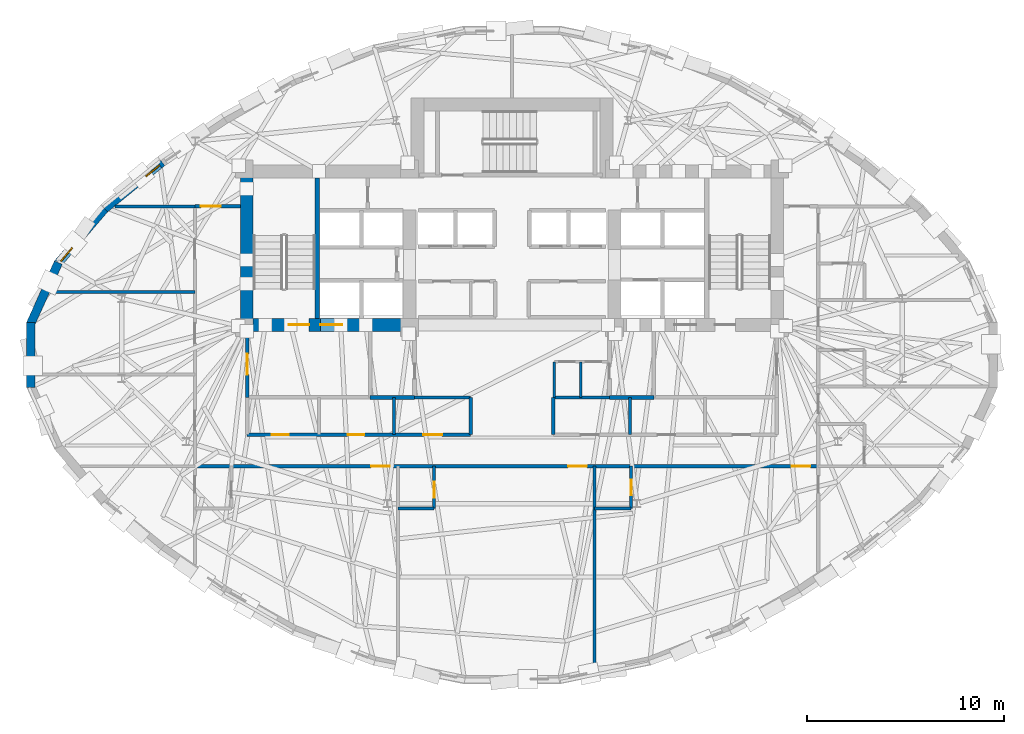
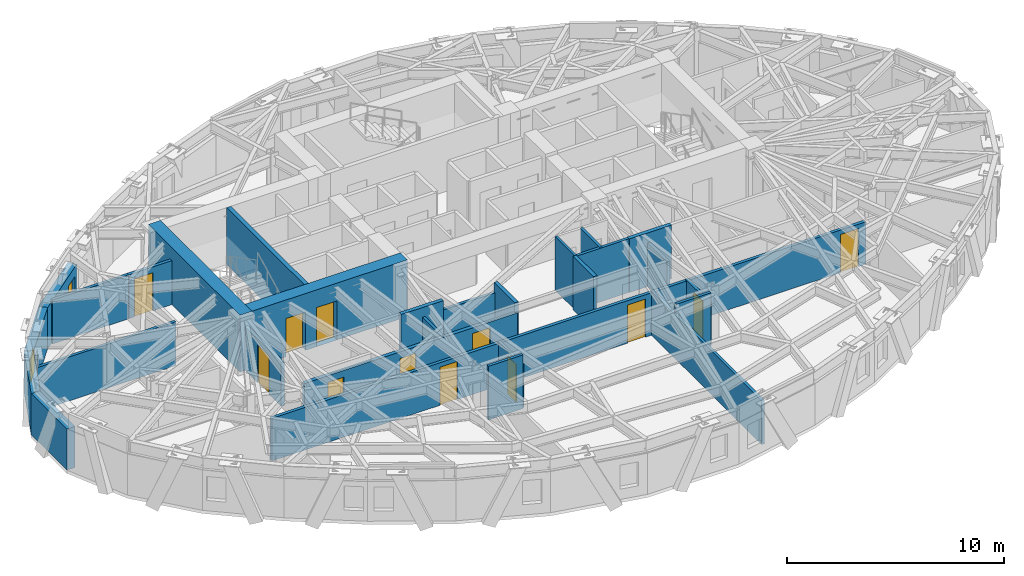
# One storey, part 6 of 14: 28 walls, 12 doors, 2 windows, 14 openings.
"""IFC4 building model written with IfcOpenShell, lengths in metres."""

from ifc_helpers import new_model, si_unit, direction, frame, frame_2d, origin, place, context, subcontext, project, spatial, rectangle, extrude, material, layer, layer_set, type_object, element, fill, save


model = new_model("IFC4")

# Units and contexts
model_context = context("Model", 3, precision=1e-05, world=origin(), true_north=direction((0.0, 1.0)))
body_context = subcontext(model_context, "Body", "Model", "MODEL_VIEW")
ifc_project = project(units=[si_unit("LENGTHUNIT", "METRE"), si_unit("AREAUNIT", "SQUARE_METRE"), si_unit("VOLUMEUNIT", "CUBIC_METRE"), si_unit("PLANEANGLEUNIT", "RADIAN"), si_unit("MASSUNIT", "GRAM", prefix="KILO")], contexts=[model_context])

# Site, building, storey
site_placement = place(None, origin())
site = spatial("IfcSite", under=ifc_project, at=site_placement, CompositionType="ELEMENT")
building_placement = place(site_placement, origin())
building = spatial("IfcBuilding", under=site, at=building_placement, Name="Keldmark Tower", CompositionType="ELEMENT")
storey_placement = place(building_placement, frame((0.0, 0.0, 188.60009765625)))
storey = spatial("IfcBuildingStorey", under=building, at=storey_placement, Name="L52", CompositionType="ELEMENT", Elevation=188.60009765625)

# Wall, openings, doors
ifc_material_1 = material(Name="Heavy Acoustic Plumbing Chase Gypsum Assembly", Category="gypsum")
ifc_layer_1 = layer(ifc_material_1, 0.18994140625)
ifc_layer_set_1 = layer_set([ifc_layer_1], Name="Heavy Acoustic Plumbing Chase Gypsum Assembly")
wall_type_1 = type_object("IfcWallType", Name="Heavy Wet Wall 190 mm", PredefinedType="PLUMBINGWALL", material=ifc_layer_set_1)
wall_1_placement = place(storey_placement, frame((-13.449951171875, -4.050048828125, 0.0), z_axis=(0.0, 0.0, 1.0), x_axis=(1.0, 0.0, 0.0)))
wall_1 = element("IfcWall", 1, at=wall_1_placement, inside=storey, type_object=wall_type_1, Name="L52 Heavy Wet Wall 190 mm SPK-W-S", PredefinedType="PLUMBINGWALL", context=body_context, shape_type="SweptSolid", body=[
    extrude(rectangle(XDim=11.349853515625, YDim=0.18994140625, at=frame_2d((5.6748046875, 0.0))), origin(), (0.0, 0.0, 1.0), 2.472900390625),
])
opening_1_placement = place(wall_1_placement, frame((1.25, 0.0, 0.0)))
opening_1 = element("IfcOpeningElement", 2, at=opening_1_placement, cuts=wall_1, Name="Opening D-WC085", PredefinedType="OPENING", context=body_context, shape_type="SweptSolid", body=[
    extrude(rectangle(XDim=0.85009765625, YDim=2.10009765625, at=frame_2d((0.425048828125, 1.050048828125))), frame((0.0, 0.10498046875, 0.0), z_axis=(0.0, -1.0, 0.0), x_axis=(1.0, 0.0, 0.0)), (0.0, 0.0, 1.0), 0.2099609375),
])
opening_2_placement = place(wall_1_placement, frame((5.10009765625, 0.0, 0.0)))
opening_2 = element("IfcOpeningElement", 3, at=opening_2_placement, cuts=wall_1, Name="Opening D-WC085", PredefinedType="OPENING", context=body_context, shape_type="SweptSolid", body=[
    extrude(rectangle(XDim=0.85009765625, YDim=2.10009765625, at=frame_2d((0.425048828125, 1.050048828125))), frame((0.0, 0.10498046875, 0.0), z_axis=(0.0, -1.0, 0.0), x_axis=(1.0, 0.0, 0.0)), (0.0, 0.0, 1.0), 0.2099609375),
])
opening_3_placement = place(wall_1_placement, frame((8.949951171875, 0.0, 0.0)))
opening_3 = element("IfcOpeningElement", 4, at=opening_3_placement, cuts=wall_1, Name="Opening D-AWC95", PredefinedType="OPENING", context=body_context, shape_type="SweptSolid", body=[
    extrude(rectangle(XDim=0.949951171875, YDim=2.14990234375, at=frame_2d((0.47509765625, 1.074951171875))), frame((0.0, 0.10498046875, 0.0), z_axis=(0.0, -1.0, 0.0), x_axis=(1.0, 0.0, 0.0)), (0.0, 0.0, 1.0), 0.2099609375),
])
ifc_material_2 = material(Name="Painted Solid-Core Architectural Wood", Category="wood")
door_type_1 = type_object("IfcDoorType", Name="Accessible WC Door 950x2150", OperationType="NOTDEFINED", PredefinedType="DOOR", material=ifc_material_2)
door_1_placement = place(opening_3_placement, origin())
door_1 = element("IfcDoor", 5, at=door_1_placement, inside=storey, type_object=door_type_1, Name="L52 Accessible WC Door 950x2150 D-SPKW3-L52", OperationType="SINGLE_SWING_LEFT", OverallHeight=2.14990234375, OverallWidth=0.949951171875, PredefinedType="DOOR", context=body_context, shape_type="SweptSolid", body=[
    extrude(rectangle(XDim=0.949951171875, YDim=2.14990234375, at=frame_2d((0.47509765625, 1.074951171875))), frame((0.0, 0.02490234375, 0.0), z_axis=(0.0, -1.0, 0.0), x_axis=(1.0, 0.0, 0.0)), (0.0, 0.0, 1.0), 0.050048828125),
])
fill(opening_3, door_1)
ifc_material_3 = material(Name="Moisture-Sealed Painted Wood", Category="wood")
door_type_2 = type_object("IfcDoorType", Name="WC Door 850x2100", OperationType="NOTDEFINED", PredefinedType="DOOR", material=ifc_material_3)
door_2_placement = place(opening_1_placement, origin())
door_2 = element("IfcDoor", 6, at=door_2_placement, inside=storey, type_object=door_type_2, Name="L52 WC Door 850x2100 D-SPKW1-L52", OperationType="SINGLE_SWING_LEFT", OverallHeight=2.10009765625, OverallWidth=0.85009765625, PredefinedType="DOOR", context=body_context, shape_type="SweptSolid", body=[
    extrude(rectangle(XDim=0.85009765625, YDim=2.10009765625, at=frame_2d((0.425048828125, 1.050048828125))), frame((0.0, 0.02490234375, 0.0), z_axis=(0.0, -1.0, 0.0), x_axis=(1.0, 0.0, 0.0)), (0.0, 0.0, 1.0), 0.050048828125),
])
fill(opening_1, door_2)
door_3_placement = place(opening_2_placement, origin())
door_3 = element("IfcDoor", 7, at=door_3_placement, inside=storey, type_object=door_type_2, Name="L52 WC Door 850x2100 D-SPKW2-L52", OperationType="SINGLE_SWING_RIGHT", OverallHeight=2.10009765625, OverallWidth=0.85009765625, PredefinedType="DOOR", context=body_context, shape_type="SweptSolid", body=[
    extrude(rectangle(XDim=0.85009765625, YDim=2.10009765625, at=frame_2d((0.425048828125, 1.050048828125))), frame((0.0, 0.02490234375, 0.0), z_axis=(0.0, -1.0, 0.0), x_axis=(1.0, 0.0, 0.0)), (0.0, 0.0, 1.0), 0.050048828125),
])
fill(opening_2, door_3)

# Walls
for number, where, z_axis, x_axis, name in (
    (8, (-2.10009765625, -4.050048828125, 0.0), (0.0, 0.0, 1.0), (0.0, 1.0, 0.0), "L52 Heavy Wet Wall 190 mm SPK-W-E"),
    (9, (2.10009765625, -4.050048828125, 0.0), (0.0, 0.0, 1.0), (0.0, 1.0, 0.0), "L52 Heavy Wet Wall 190 mm SPK-E-W"),
):
    element("IfcWall", number, at=place(storey_placement, frame(where, z_axis=z_axis, x_axis=x_axis)), inside=storey, type_object=wall_type_1, Name=name, PredefinedType="PLUMBINGWALL", context=body_context, shape_type="SweptSolid", body=[
        extrude(rectangle(XDim=1.900146484375, YDim=0.18994140625, at=frame_2d((0.9501953125, 0.0))), origin(), (0.0, 0.0, 1.0), 3.02001953125),
    ])
ifc_material_4 = material(Name="Acoustic Gypsum Board Interior Partition", Category="gypsum")
ifc_layer_2 = layer(ifc_material_4, 0.1298828125)
ifc_layer_set_2 = layer_set([ifc_layer_2], Name="Acoustic Gypsum Board Interior Partition")
wall_type_2 = type_object("IfcWallType", Name="Interior Partition 130 mm", PredefinedType="PARTITIONING", material=ifc_layer_set_2)
for number, where, z_axis, x_axis, name in (
    (10, (2.14990234375, -2.14990234375, 0.0), (0.0, 0.0, 1.0), (0.0, 1.0, 0.0), "L52 Interior Partition 130 mm CSC-E-W"),
    (11, (3.5, -2.14990234375, 0.0), (0.0, 0.0, 1.0), (0.0, 1.0, 0.0), "L52 Interior Partition 130 mm CSC-E-M"),
):
    element("IfcWall", number, at=place(storey_placement, frame(where, z_axis=z_axis, x_axis=x_axis)), inside=storey, type_object=wall_type_2, Name=name, PredefinedType="PARTITIONING", context=body_context, shape_type="SweptSolid", body=[
        extrude(rectangle(XDim=1.7998046875, YDim=0.1298828125, at=frame_2d((0.89990234375, 0.0))), origin(), (0.0, 0.0, 1.0), 3.02001953125),
    ])

# Wall, opening, door
ifc_material_5 = material(Name="Type X Fire-Rated Gypsum Partition Assembly", Category="gypsum")
ifc_layer_3 = layer(ifc_material_5, 0.1650390625)
ifc_layer_set_3 = layer_set([ifc_layer_3], Name="Type X Fire-Rated Gypsum Partition Assembly")
wall_type_3 = type_object("IfcWallType", Name="Rated Partition 165 mm", PredefinedType="PARTITIONING", material=ifc_layer_set_3)
wall_2_placement = place(storey_placement, frame((-13.449951171875, -2.14990234375, 0.0), z_axis=(0.0, 0.0, 1.0), x_axis=(0.0, 1.0, 0.0)))
wall_2 = element("IfcWall", 12, at=wall_2_placement, inside=storey, type_object=wall_type_3, Name="L52 Rated Partition 165 mm FSAE-W-W", PredefinedType="PARTITIONING", context=body_context, shape_type="SweptSolid", body=[
    extrude(rectangle(XDim=3.39990234375, YDim=0.1650390625, at=frame_2d((1.699951171875, 0.0))), origin(), (0.0, 0.0, 1.0), 2.472900390625),
])
opening_4_placement = place(wall_2_placement, frame((1.14990234375, 0.0, 0.0)))
opening_4 = element("IfcOpeningElement", 13, at=opening_4_placement, cuts=wall_2, Name="Opening D-FL105", PredefinedType="OPENING", context=body_context, shape_type="SweptSolid", body=[
    extrude(rectangle(XDim=1.050048828125, YDim=2.14990234375, at=frame_2d((0.52490234375, 1.074951171875))), frame((0.0, 0.092529296875, 0.0), z_axis=(0.0, -1.0, 0.0), x_axis=(1.0, 0.0, 0.0)), (0.0, 0.0, 1.0), 0.18505859375),
])
ifc_material_6 = material(Name="Fire-Rated Mineral-Core Door and Vision Lite", Category="metal")
door_type_3 = type_object("IfcDoorType", Name="Fire Lobby Door 1050x2150", OperationType="NOTDEFINED", PredefinedType="DOOR", material=ifc_material_6)
door_4_placement = place(opening_4_placement, origin())
door_4 = element("IfcDoor", 14, at=door_4_placement, inside=storey, type_object=door_type_3, Name="L52 Fire Lobby Door 1050x2150 D-FSAEW-OUT-L52", OperationType="SINGLE_SWING_LEFT", OverallHeight=2.14990234375, OverallWidth=1.050048828125, PredefinedType="DOOR", context=body_context, shape_type="SweptSolid", body=[
    extrude(rectangle(XDim=1.050048828125, YDim=2.14990234375, at=frame_2d((0.52490234375, 1.074951171875))), frame((0.0, 0.02490234375, 0.0), z_axis=(0.0, -1.0, 0.0), x_axis=(1.0, 0.0, 0.0)), (0.0, 0.0, 1.0), 0.050048828125),
])
fill(opening_4, door_4)

# Wall, openings, doors
wall_3_placement = place(storey_placement, frame((-16.10009765625, -5.64990234375, 0.0), z_axis=(0.0, 0.0, 1.0), x_axis=(1.0, 0.0, 0.0)))
wall_3 = element("IfcWall", 15, at=wall_3_placement, inside=storey, type_object=wall_type_3, Name="L52 Rated Partition 165 mm HCOR-S", PredefinedType="PARTITIONING", context=body_context, shape_type="SweptSolid", body=[
    extrude(rectangle(XDim=31.650146484375, YDim=0.1650390625, at=frame_2d((15.8251953125, 0.0))), origin(), (0.0, 0.0, 1.0), 2.39794921875),
])
opening_5_placement = place(wall_3_placement, frame((8.949951171875, 0.0, 0.0)))
opening_5 = element("IfcOpeningElement", 16, at=opening_5_placement, cuts=wall_3, Name="Opening D-HT095", PredefinedType="OPENING", context=body_context, shape_type="SweptSolid", body=[
    extrude(rectangle(XDim=0.949951171875, YDim=2.14990234375, at=frame_2d((0.47509765625, 1.074951171875))), frame((0.0, 0.092529296875, 0.0), z_axis=(0.0, -1.0, 0.0), x_axis=(1.0, 0.0, 0.0)), (0.0, 0.0, 1.0), 0.18505859375),
])
opening_6_placement = place(wall_3_placement, frame((18.949951171875, 0.0, 0.0)))
opening_6 = element("IfcOpeningElement", 17, at=opening_6_placement, cuts=wall_3, Name="Opening D-HT095", PredefinedType="OPENING", context=body_context, shape_type="SweptSolid", body=[
    extrude(rectangle(XDim=0.949951171875, YDim=2.14990234375, at=frame_2d((0.47509765625, 1.074951171875))), frame((0.0, 0.092529296875, 0.0), z_axis=(0.0, -1.0, 0.0), x_axis=(1.0, 0.0, 0.0)), (0.0, 0.0, 1.0), 0.18505859375),
])
opening_7_placement = place(wall_3_placement, frame((30.300048828125, 0.0, 0.0)))
opening_7 = element("IfcOpeningElement", 18, at=opening_7_placement, cuts=wall_3, Name="Opening D-HT095", PredefinedType="OPENING", context=body_context, shape_type="SweptSolid", body=[
    extrude(rectangle(XDim=0.949951171875, YDim=2.14990234375, at=frame_2d((0.47509765625, 1.074951171875))), frame((0.0, 0.092529296875, 0.0), z_axis=(0.0, -1.0, 0.0), x_axis=(1.0, 0.0, 0.0)), (0.0, 0.0, 1.0), 0.18505859375),
])
ifc_material_7 = material(Name="Solid-Core Acoustic White Oak Fire-Rated Assembly", Category="wood")
door_type_4 = type_object("IfcDoorType", Name="Hotel Entry Door 950x2150", OperationType="NOTDEFINED", PredefinedType="DOOR", material=ifc_material_7)
door_5_placement = place(opening_5_placement, origin())
door_5 = element("IfcDoor", 19, at=door_5_placement, inside=storey, type_object=door_type_4, Name="L52 Hotel Entry Door 950x2150 D-HRS1-L52", OperationType="SINGLE_SWING_RIGHT", OverallHeight=2.14990234375, OverallWidth=0.949951171875, PredefinedType="DOOR", context=body_context, shape_type="SweptSolid", body=[
    extrude(rectangle(XDim=0.949951171875, YDim=2.14990234375, at=frame_2d((0.47509765625, 1.074951171875))), frame((0.0, 0.02490234375, 0.0), z_axis=(0.0, -1.0, 0.0), x_axis=(1.0, 0.0, 0.0)), (0.0, 0.0, 1.0), 0.050048828125),
])
fill(opening_5, door_5)
door_6_placement = place(opening_6_placement, origin())
door_6 = element("IfcDoor", 20, at=door_6_placement, inside=storey, type_object=door_type_4, Name="L52 Hotel Entry Door 950x2150 D-HRS2-L52", OperationType="SINGLE_SWING_LEFT", OverallHeight=2.14990234375, OverallWidth=0.949951171875, PredefinedType="DOOR", context=body_context, shape_type="SweptSolid", body=[
    extrude(rectangle(XDim=0.949951171875, YDim=2.14990234375, at=frame_2d((0.47509765625, 1.074951171875))), frame((0.0, 0.02490234375, 0.0), z_axis=(0.0, -1.0, 0.0), x_axis=(1.0, 0.0, 0.0)), (0.0, 0.0, 1.0), 0.050048828125),
])
fill(opening_6, door_6)
door_7_placement = place(opening_7_placement, origin())
door_7 = element("IfcDoor", 21, at=door_7_placement, inside=storey, type_object=door_type_4, Name="L52 Hotel Entry Door 950x2150 D-HRS3-L52", OperationType="SINGLE_SWING_RIGHT", OverallHeight=2.14990234375, OverallWidth=0.949951171875, PredefinedType="DOOR", context=body_context, shape_type="SweptSolid", body=[
    extrude(rectangle(XDim=0.949951171875, YDim=2.14990234375, at=frame_2d((0.47509765625, 1.074951171875))), frame((0.0, 0.02490234375, 0.0), z_axis=(0.0, -1.0, 0.0), x_axis=(1.0, 0.0, 0.0)), (0.0, 0.0, 1.0), 0.050048828125),
])
fill(opening_7, door_7)

# Wall, opening, door
wall_4_placement = place(storey_placement, frame((-16.10009765625, 7.550048828125, 0.0), z_axis=(0.0, 0.0, 1.0), x_axis=(1.0, 0.0, 0.0)))
wall_4 = element("IfcWall", 22, at=wall_4_placement, inside=storey, type_object=wall_type_3, Name="L52 Rated Partition 165 mm HCOR-WN", PredefinedType="PARTITIONING", context=body_context, shape_type="SweptSolid", body=[
    extrude(rectangle(XDim=2.300048828125, YDim=0.1650390625, at=frame_2d((1.14990234375, 0.0))), origin(), (0.0, 0.0, 1.0), 2.472900390625),
])
opening_8_placement = place(wall_4_placement, frame((0.300048828125, 0.0, 0.0)))
opening_8 = element("IfcOpeningElement", 23, at=opening_8_placement, cuts=wall_4, Name="Opening D-FD100", PredefinedType="OPENING", context=body_context, shape_type="SweptSolid", body=[
    extrude(rectangle(XDim=1.0, YDim=2.14990234375, at=frame_2d((0.5, 1.074951171875))), frame((0.0, 0.092529296875, 0.0), z_axis=(0.0, -1.0, 0.0), x_axis=(1.0, 0.0, 0.0)), (0.0, 0.0, 1.0), 0.18505859375),
])
ifc_material_8 = material(Name="Hollow Metal Fire-Rated Corridor Door", Category="metal")
door_type_5 = type_object("IfcDoorType", Name="Fire Door 1000x2150", OperationType="NOTDEFINED", PredefinedType="DOOR", material=ifc_material_8)
door_8_placement = place(opening_8_placement, origin())
door_8 = element("IfcDoor", 24, at=door_8_placement, inside=storey, type_object=door_type_5, Name="L52 Fire Door 1000x2150 D-HNNW-L52", OperationType="SINGLE_SWING_LEFT", OverallHeight=2.14990234375, OverallWidth=1.0, PredefinedType="DOOR", context=body_context, shape_type="SweptSolid", body=[
    extrude(rectangle(XDim=1.0, YDim=2.14990234375, at=frame_2d((0.5, 1.074951171875))), frame((0.0, 0.02490234375, 0.0), z_axis=(0.0, -1.0, 0.0), x_axis=(1.0, 0.0, 0.0)), (0.0, 0.0, 1.0), 0.050048828125),
])
fill(opening_8, door_8)

# Walls
ifc_material_9 = material(Name="Fire-Resistant Type X Gypsum Shaftliner Coreboard", Category="gypsum")
ifc_layer_4 = layer(ifc_material_9, 0.199951171875)
ifc_layer_set_4 = layer_set([ifc_layer_4], Name="Fire-Resistant Type X Gypsum Shaftliner Coreboard")
wall_type_4 = type_object("IfcWallType", Name="Shaft Wall 200 mm", PredefinedType="SOLIDWALL", material=ifc_layer_set_4)
for number, where, z_axis, x_axis, name in (
    (25, (-7.199951171875, -2.14990234375, 0.0), (0.0, 0.0, 1.0), (1.0, 0.0, 0.0), "L52 Shaft Wall 200 mm RIS-SW-S"),
    (26, (4.949951171875, -2.14990234375, 0.0), (0.0, 0.0, 1.0), (1.0, 0.0, 0.0), "L52 Shaft Wall 200 mm RIS-SE-S"),
):
    element("IfcWall", number, at=place(storey_placement, frame(where, z_axis=z_axis, x_axis=x_axis)), inside=storey, type_object=wall_type_4, Name=name, PredefinedType="SOLIDWALL", context=body_context, shape_type="SweptSolid", body=[
        extrude(rectangle(XDim=2.25, YDim=0.199951171875, at=frame_2d((1.125, 0.0))), origin(), (0.0, 0.0, 1.0), 3.02001953125),
    ])
ifc_material_10 = material(Name="Concrete C50/60", Category="concrete")
ifc_layer_5 = layer(ifc_material_10, 0.219970703125)
ifc_layer_set_5 = layer_set([ifc_layer_5], Name="Concrete C50/60")
wall_type_5 = type_object("IfcWallType", Name="Stair Core Shear Wall 220 mm", PredefinedType="SHEAR", material=ifc_layer_set_5)
wall_5_placement = place(storey_placement, frame((-9.889892578125, 1.85009765625, 0.0), z_axis=(0.0, 0.0, 1.0), x_axis=(0.0, 1.0, 0.0)))
element("IfcWall", 27, at=wall_5_placement, inside=storey, type_object=wall_type_5, Name="L52 West Stair Core Shear Wall", PredefinedType="SHEAR", context=body_context, shape_type="SweptSolid", body=[
    extrude(rectangle(XDim=7.14990234375, YDim=0.219970703125, at=frame_2d((3.574951171875, 0.0))), origin(), (0.0, 0.0, 1.0), 3.199951171875),
])

# Wall, opening, window
ifc_material_11 = material(Name="Ironspot Manganese Brick and Kasota Buff Limestone Spandrel Assembly", Category="masonry")
ifc_layer_6 = layer(ifc_material_11, 0.43994140625)
ifc_layer_set_6 = layer_set([ifc_layer_6], Name="Ironspot Manganese Brick and Kasota Buff Limestone Spandrel Assembly")
wall_type_6 = type_object("IfcWallType", Name="Tower Brick Pier and Spandrel Wall 440 mm", PredefinedType="STANDARD", material=ifc_layer_set_6)
wall_6_placement = place(storey_placement, frame((-20.72412109375, 7.38916015625, 0.0), z_axis=(0.0, 0.0, 1.0), x_axis=(0.776145361002, 0.63055402512, 0.0)))
wall_6 = element("IfcWall", 28, at=wall_6_placement, inside=storey, type_object=wall_type_6, Name="L52 Exterior Brick and Spandrel Wall 13", PredefinedType="STANDARD", context=body_context, shape_type="SweptSolid", body=[
    extrude(rectangle(XDim=3.809814453125, YDim=0.43994140625, at=frame_2d((1.90478515625, 0.0))), origin(), (0.0, 0.0, 1.0), 2.31494140625),
])
opening_9_placement = place(wall_6_placement, frame((2.7099609375, 0.0, 0.419921875)))
opening_9 = element("IfcOpeningElement", 29, at=opening_9_placement, cuts=wall_6, Name="Opening W-09", PredefinedType="OPENING", context=body_context, shape_type="SweptSolid", body=[
    extrude(rectangle(XDim=0.89990234375, YDim=1.35009765625, at=frame_2d((0.449951171875, 0.675048828125))), frame((0.0, 0.22998046875, 0.0), z_axis=(0.0, -1.0, 0.0), x_axis=(1.0, 0.0, 0.0)), (0.0, 0.0, 1.0), 0.4599609375),
])
ifc_material_12 = material(Name="Thermally Broken Anodized Aluminum and Triple Low-E Argon Glazing", Category="aluminium")
window_type = type_object("IfcWindowType", Name="Corner Pier Deep-Set Window 900x1350", PartitioningType="SINGLE_PANEL", PredefinedType="WINDOW", material=ifc_material_12)
window_1_placement = place(opening_9_placement, origin())
window_1 = element("IfcWindow", 30, at=window_1_placement, inside=storey, type_object=window_type, Name="L52 Deep-Set Window 13", OverallHeight=1.35009765625, OverallWidth=0.89990234375, PartitioningType="SINGLE_PANEL", PredefinedType="WINDOW", context=body_context, shape_type="SweptSolid", body=[
    extrude(rectangle(XDim=0.89990234375, YDim=1.35009765625, at=frame_2d((0.449951171875, 0.675048828125))), frame((0.0, -0.010009765625, 0.0), z_axis=(0.0, -1.0, 0.0), x_axis=(1.0, 0.0, 0.0)), (0.0, 0.0, 1.0), 0.06005859375),
])
fill(opening_9, window_1)

wall_7_placement = place(storey_placement, frame((-23.072021484375, 4.63623046875, 0.0), z_axis=(0.0, 0.0, 1.0), x_axis=(0.649641806751, 0.760240437573, 0.0)))
wall_7 = element("IfcWall", 31, at=wall_7_placement, inside=storey, type_object=wall_type_6, Name="L52 Exterior Brick and Spandrel Wall 14", PredefinedType="STANDARD", context=body_context, shape_type="SweptSolid", body=[
    extrude(rectangle(XDim=3.65771484375, YDim=0.43994140625, at=frame_2d((1.828857421875, 0.0))), origin(), (0.0, 0.0, 1.0), 2.31494140625),
])
opening_10_placement = place(wall_7_placement, frame((0.199951171875, 0.0, 0.419921875)))
opening_10 = element("IfcOpeningElement", 32, at=opening_10_placement, cuts=wall_7, Name="Opening W-09", PredefinedType="OPENING", context=body_context, shape_type="SweptSolid", body=[
    extrude(rectangle(XDim=0.89990234375, YDim=1.35009765625, at=frame_2d((0.449951171875, 0.675048828125))), frame((0.0, 0.22998046875, 0.0), z_axis=(0.0, -1.0, 0.0), x_axis=(1.0, 0.0, 0.0)), (0.0, 0.0, 1.0), 0.4599609375),
])
window_2_placement = place(opening_10_placement, origin())
window_2 = element("IfcWindow", 33, at=window_2_placement, inside=storey, type_object=window_type, Name="L52 Deep-Set Window 14", OverallHeight=1.35009765625, OverallWidth=0.89990234375, PartitioningType="SINGLE_PANEL", PredefinedType="WINDOW", context=body_context, shape_type="SweptSolid", body=[
    extrude(rectangle(XDim=0.89990234375, YDim=1.35009765625, at=frame_2d((0.449951171875, 0.675048828125))), frame((0.0, -0.010009765625, 0.0), z_axis=(0.0, -1.0, 0.0), x_axis=(1.0, 0.0, 0.0)), (0.0, 0.0, 1.0), 0.06005859375),
])
fill(opening_10, window_2)

# Walls
wall_8_placement = place(storey_placement, frame((-24.457763671875, 1.5556640625, 0.0), z_axis=(0.0, 0.0, 1.0), x_axis=(0.412583132773, 0.91091995178, 0.0)))
element("IfcWall", 34, at=wall_8_placement, inside=storey, type_object=wall_type_6, Name="L52 Exterior Brick and Spandrel Wall 15", PredefinedType="STANDARD", context=body_context, shape_type="SweptSolid", body=[
    extrude(rectangle(XDim=3.439208984375, YDim=0.43994140625, at=frame_2d((1.7197265625, 0.0))), origin(), (0.0, 0.0, 1.0), 2.31494140625),
])
wall_9_placement = place(storey_placement, frame((-24.438232421875, -1.646484375, 0.0), z_axis=(0.0, 0.0, 1.0), x_axis=(0.0, 1.0, 0.0)))
element("IfcWall", 35, at=wall_9_placement, inside=storey, type_object=wall_type_6, Name="L52 Exterior Brick and Spandrel Wall 16", PredefinedType="STANDARD", context=body_context, shape_type="SweptSolid", body=[
    extrude(rectangle(XDim=3.29296875, YDim=0.43994140625, at=frame_2d((1.646484375, 0.0))), origin(), (0.0, 0.0, 1.0), 2.31494140625),
])
ifc_material_13 = material(Name="Concrete C50/60", Category="concrete")
ifc_layer_7 = layer(ifc_material_13, 0.64990234375)
ifc_layer_set_7 = layer_set([ifc_layer_7], Name="Concrete C50/60")
wall_type_7 = type_object("IfcWallType", Name="Upper-Mid Core Shear Wall 650 mm", PredefinedType="SHEAR", material=ifc_layer_set_7)
wall_10_placement = place(storey_placement, frame((-13.47509765625, 1.199951171875, 0.0), z_axis=(0.0, 0.0, 1.0), x_axis=(0.0, 1.0, 0.0)))
element("IfcWall", 36, at=wall_10_placement, inside=storey, type_object=wall_type_7, Name="L52 West Core Outer Shear Wall", PredefinedType="SHEAR", context=body_context, shape_type="SweptSolid", body=[
    extrude(rectangle(XDim=8.449951171875, YDim=0.64990234375, at=frame_2d((4.22509765625, 0.0))), origin(), (0.0, 0.0, 1.0), 3.199951171875),
])

# Wall, openings, doors
wall_11_placement = place(storey_placement, frame((-4.875, 1.52490234375, 0.0), z_axis=(0.0, 0.0, 1.0), x_axis=(-1.0, 0.0, 0.0)))
wall_11 = element("IfcWall", 37, at=wall_11_placement, inside=storey, type_object=wall_type_7, Name="L52 West Core South Shear Wall", PredefinedType="SHEAR", context=body_context, shape_type="SweptSolid", body=[
    extrude(rectangle(XDim=8.925048828125, YDim=0.64990234375, at=frame_2d((4.46240234375, 0.0))), origin(), (0.0, 0.0, 1.0), 3.199951171875),
])
opening_11_placement = place(wall_11_placement, frame((5.425048828125, 0.0, 0.0)))
opening_11 = element("IfcOpeningElement", 38, at=opening_11_placement, cuts=wall_11, Name="Opening D-ST105", PredefinedType="OPENING", context=body_context, shape_type="SweptSolid", body=[
    extrude(rectangle(XDim=1.050048828125, YDim=2.14990234375, at=frame_2d((0.52490234375, 1.074951171875))), frame((0.0, 0.3349609375, 0.0), z_axis=(0.0, -1.0, 0.0), x_axis=(1.0, 0.0, 0.0)), (0.0, 0.0, 1.0), 0.669921875),
])
opening_12_placement = place(wall_11_placement, frame((3.7548828125, 0.0, 0.0)))
opening_12 = element("IfcOpeningElement", 39, at=opening_12_placement, cuts=wall_11, Name="Opening LD-110", PredefinedType="OPENING", context=body_context, shape_type="SweptSolid", body=[
    extrude(rectangle(XDim=1.10009765625, YDim=2.199951171875, at=frame_2d((0.550048828125, 1.10009765625))), frame((0.0, 0.3349609375, 0.0), z_axis=(0.0, -1.0, 0.0), x_axis=(1.0, 0.0, 0.0)), (0.0, 0.0, 1.0), 0.669921875),
])
ifc_material_14 = material(Name="Brushed Bronze Hoistway Sliding Leaf", Category="metal")
door_type_6 = type_object("IfcDoorType", Name="Lift Landing Sliding Door 1100x2200", OperationType="SLIDING_TO_LEFT", PredefinedType="DOOR", material=ifc_material_14)
door_9_placement = place(opening_12_placement, origin())
door_9 = element("IfcDoor", 40, at=door_9_placement, inside=storey, type_object=door_type_6, Name="L52 Lift Landing Sliding Door 1100x2200 LD-EL-FS1-L52", OperationType="SLIDING_TO_LEFT", OverallHeight=2.199951171875, OverallWidth=1.10009765625, PredefinedType="DOOR", context=body_context, shape_type="SweptSolid", body=[
    extrude(rectangle(XDim=1.10009765625, YDim=2.199951171875, at=frame_2d((0.550048828125, 1.10009765625))), frame((0.0, 0.02490234375, 0.0), z_axis=(0.0, -1.0, 0.0), x_axis=(1.0, 0.0, 0.0)), (0.0, 0.0, 1.0), 0.050048828125),
])
fill(opening_12, door_9)
ifc_material_15 = material(Name="Hollow Metal Fire-Rated Door Assembly", Category="metal")
door_type_7 = type_object("IfcDoorType", Name="Stair Fire Door 1050x2150", OperationType="NOTDEFINED", PredefinedType="DOOR", material=ifc_material_15)
door_10_placement = place(opening_11_placement, origin())
door_10 = element("IfcDoor", 41, at=door_10_placement, inside=storey, type_object=door_type_7, Name="L52 Stair Fire Door 1050x2150 D-ST1-L52", OperationType="SINGLE_SWING_RIGHT", OverallHeight=2.14990234375, OverallWidth=1.050048828125, PredefinedType="DOOR", context=body_context, shape_type="SweptSolid", body=[
    extrude(rectangle(XDim=1.050048828125, YDim=2.14990234375, at=frame_2d((0.52490234375, 1.074951171875))), frame((0.0, 0.02490234375, 0.0), z_axis=(0.0, -1.0, 0.0), x_axis=(1.0, 0.0, 0.0)), (0.0, 0.0, 1.0), 0.050048828125),
])
fill(opening_11, door_10)

# Walls
ifc_material_16 = material(Name="Moisture-Resistant Gypsum Plumbing Partition", Category="gypsum")
ifc_layer_8 = layer(ifc_material_16, 0.14990234375)
ifc_layer_set_8 = layer_set([ifc_layer_8], Name="Moisture-Resistant Gypsum Plumbing Partition")
wall_type_8 = type_object("IfcWallType", Name="Wet Wall 150 mm", PredefinedType="PLUMBINGWALL", material=ifc_layer_set_8)
wall_12_placement = place(storey_placement, frame((-4.949951171875, -2.14990234375, 0.0), z_axis=(0.0, 0.0, 1.0), x_axis=(1.0, 0.0, 0.0)))
element("IfcWall", 42, at=wall_12_placement, inside=storey, type_object=wall_type_8, Name="L52 Wet Wall 150 mm SPK-W-N", PredefinedType="PLUMBINGWALL", context=body_context, shape_type="SweptSolid", body=[
    extrude(rectangle(XDim=2.849853515625, YDim=0.14990234375, at=frame_2d((1.4248046875, 0.0))), origin(), (0.0, 0.0, 1.0), 2.472900390625),
])
wall_13_placement = place(storey_placement, frame((-6.0, -4.050048828125, 0.0), z_axis=(0.0, 0.0, 1.0), x_axis=(0.0, 1.0, 0.0)))
element("IfcWall", 43, at=wall_13_placement, inside=storey, type_object=wall_type_8, Name="L52 Wet Wall 150 mm SPK-W-D2", PredefinedType="PLUMBINGWALL", context=body_context, shape_type="SweptSolid", body=[
    extrude(rectangle(XDim=1.900146484375, YDim=0.14990234375, at=frame_2d((0.9501953125, 0.0))), origin(), (0.0, 0.0, 1.0), 2.472900390625),
])
wall_14_placement = place(storey_placement, frame((2.10009765625, -2.14990234375, 0.0), z_axis=(0.0, 0.0, 1.0), x_axis=(1.0, 0.0, 0.0)))
element("IfcWall", 44, at=wall_14_placement, inside=storey, type_object=wall_type_8, Name="L52 Wet Wall 150 mm SPK-E-N", PredefinedType="PLUMBINGWALL", context=body_context, shape_type="SweptSolid", body=[
    extrude(rectangle(XDim=2.849853515625, YDim=0.14990234375, at=frame_2d((1.4248046875, 0.0))), origin(), (0.0, 0.0, 1.0), 3.02001953125),
])
wall_15_placement = place(storey_placement, frame((6.0, -4.050048828125, 0.0), z_axis=(0.0, 0.0, 1.0), x_axis=(0.0, 1.0, 0.0)))
element("IfcWall", 45, at=wall_15_placement, inside=storey, type_object=wall_type_8, Name="L52 Wet Wall 150 mm SPK-E-D1", PredefinedType="PLUMBINGWALL", context=body_context, shape_type="SweptSolid", body=[
    extrude(rectangle(XDim=1.900146484375, YDim=0.14990234375, at=frame_2d((0.9501953125, 0.0))), origin(), (0.0, 0.0, 1.0), 2.472900390625),
])
wall_16_placement = place(storey_placement, frame((-20.164794921875, 7.550048828125, 0.0), z_axis=(0.0, 0.0, 1.0), x_axis=(1.0, 0.0, 0.0)))
element("IfcWall", 46, at=wall_16_placement, inside=storey, type_object=wall_type_8, Name="L52 Wet Wall 150 mm HW-CAP-N", PredefinedType="PLUMBINGWALL", context=body_context, shape_type="SweptSolid", body=[
    extrude(rectangle(XDim=4.064697265625, YDim=0.14990234375, at=frame_2d((2.0322265625, 0.0))), origin(), (0.0, 0.0, 1.0), 2.472900390625),
])
wall_17_placement = place(storey_placement, frame((4.199951171875, -15.890380859375, 0.0), z_axis=(0.0, 0.0, 1.0), x_axis=(0.0, 1.0, 0.0)))
element("IfcWall", 47, at=wall_17_placement, inside=storey, type_object=wall_type_8, Name="L52 Wet Wall 150 mm HS-DIV-2", PredefinedType="PLUMBINGWALL", context=body_context, shape_type="SweptSolid", body=[
    extrude(rectangle(XDim=10.240478515625, YDim=0.14990234375, at=frame_2d((5.1201171875, 0.0))), origin(), (0.0, 0.0, 1.0), 2.472900390625),
])

# Wall, opening, door
wall_18_placement = place(storey_placement, frame((-3.949951171875, -7.800048828125, 0.0), z_axis=(0.0, 0.0, 1.0), x_axis=(0.0, 1.0, 0.0)))
wall_18 = element("IfcWall", 48, at=wall_18_placement, inside=storey, type_object=wall_type_8, Name="L52 Wet Wall 150 mm HB-S2-E", PredefinedType="PLUMBINGWALL", context=body_context, shape_type="SweptSolid", body=[
    extrude(rectangle(XDim=2.150146484375, YDim=0.14990234375, at=frame_2d((1.0751953125, 0.0))), origin(), (0.0, 0.0, 1.0), 2.472900390625),
])
opening_13_placement = place(wall_18_placement, frame((0.550048828125, 0.0, 0.0)))
opening_13 = element("IfcOpeningElement", 49, at=opening_13_placement, cuts=wall_18, Name="Opening D-BT080", PredefinedType="OPENING", context=body_context, shape_type="SweptSolid", body=[
    extrude(rectangle(XDim=0.800048828125, YDim=2.10009765625, at=frame_2d((0.39990234375, 1.050048828125))), frame((0.0, 0.0849609375, 0.0), z_axis=(0.0, -1.0, 0.0), x_axis=(1.0, 0.0, 0.0)), (0.0, 0.0, 1.0), 0.169921875),
])
ifc_material_17 = material(Name="Moisture-Sealed Stained Wood", Category="wood")
door_type_8 = type_object("IfcDoorType", Name="Bathroom Door 800x2100", OperationType="NOTDEFINED", PredefinedType="DOOR", material=ifc_material_17)
door_11_placement = place(opening_13_placement, origin())
door_11 = element("IfcDoor", 50, at=door_11_placement, inside=storey, type_object=door_type_8, Name="L52 Bathroom Door 800x2100 D-HBS2-L52", OperationType="SINGLE_SWING_RIGHT", OverallHeight=2.10009765625, OverallWidth=0.800048828125, PredefinedType="DOOR", context=body_context, shape_type="SweptSolid", body=[
    extrude(rectangle(XDim=0.800048828125, YDim=2.10009765625, at=frame_2d((0.39990234375, 1.050048828125))), frame((0.0, 0.02490234375, 0.0), z_axis=(0.0, -1.0, 0.0), x_axis=(1.0, 0.0, 0.0)), (0.0, 0.0, 1.0), 0.050048828125),
])
fill(opening_13, door_11)

# Wall
wall_19_placement = place(storey_placement, frame((-5.800048828125, -7.800048828125, 0.0), z_axis=(0.0, 0.0, 1.0), x_axis=(1.0, 0.0, 0.0)))
element("IfcWall", 51, at=wall_19_placement, inside=storey, type_object=wall_type_8, Name="L52 Wet Wall 150 mm HB-S2-S", PredefinedType="PLUMBINGWALL", context=body_context, shape_type="SweptSolid", body=[
    extrude(rectangle(XDim=1.85009765625, YDim=0.14990234375, at=frame_2d((0.925048828125, 0.0))), origin(), (0.0, 0.0, 1.0), 3.02001953125),
])

# Wall, opening, door
wall_20_placement = place(storey_placement, frame((6.050048828125, -7.800048828125, 0.0), z_axis=(0.0, 0.0, 1.0), x_axis=(0.0, 1.0, 0.0)))
wall_20 = element("IfcWall", 52, at=wall_20_placement, inside=storey, type_object=wall_type_8, Name="L52 Wet Wall 150 mm HB-S3-E", PredefinedType="PLUMBINGWALL", context=body_context, shape_type="SweptSolid", body=[
    extrude(rectangle(XDim=2.150146484375, YDim=0.14990234375, at=frame_2d((1.0751953125, 0.0))), origin(), (0.0, 0.0, 1.0), 2.472900390625),
])
opening_14_placement = place(wall_20_placement, frame((0.669921875, 0.0, 0.0)))
opening_14 = element("IfcOpeningElement", 53, at=opening_14_placement, cuts=wall_20, Name="Opening D-BT080", PredefinedType="OPENING", context=body_context, shape_type="SweptSolid", body=[
    extrude(rectangle(XDim=0.800048828125, YDim=2.10009765625, at=frame_2d((0.39990234375, 1.050048828125))), frame((0.0, 0.0849609375, 0.0), z_axis=(0.0, -1.0, 0.0), x_axis=(1.0, 0.0, 0.0)), (0.0, 0.0, 1.0), 0.169921875),
])
door_12_placement = place(opening_14_placement, origin())
door_12 = element("IfcDoor", 54, at=door_12_placement, inside=storey, type_object=door_type_8, Name="L52 Bathroom Door 800x2100 D-HBS3-L52", OperationType="SINGLE_SWING_RIGHT", OverallHeight=2.10009765625, OverallWidth=0.800048828125, PredefinedType="DOOR", context=body_context, shape_type="SweptSolid", body=[
    extrude(rectangle(XDim=0.800048828125, YDim=2.10009765625, at=frame_2d((0.39990234375, 1.050048828125))), frame((0.0, 0.02490234375, 0.0), z_axis=(0.0, -1.0, 0.0), x_axis=(1.0, 0.0, 0.0)), (0.0, 0.0, 1.0), 0.050048828125),
])
fill(opening_14, door_12)

# Walls
wall_21_placement = place(storey_placement, frame((4.199951171875, -7.800048828125, 0.0), z_axis=(0.0, 0.0, 1.0), x_axis=(1.0, 0.0, 0.0)))
element("IfcWall", 55, at=wall_21_placement, inside=storey, type_object=wall_type_8, Name="L52 Wet Wall 150 mm HB-S3-S", PredefinedType="PLUMBINGWALL", context=body_context, shape_type="SweptSolid", body=[
    extrude(rectangle(XDim=1.85009765625, YDim=0.14990234375, at=frame_2d((0.925048828125, 0.0))), origin(), (0.0, 0.0, 1.0), 3.02001953125),
])
wall_22_placement = place(storey_placement, frame((-23.462646484375, 3.199951171875, 0.0), z_axis=(0.0, 0.0, 1.0), x_axis=(1.0, 0.0, 0.0)))
element("IfcWall", 56, at=wall_22_placement, inside=storey, type_object=wall_type_8, Name="L52 Wet Wall 150 mm HW-DIV-2", PredefinedType="PLUMBINGWALL", context=body_context, shape_type="SweptSolid", body=[
    extrude(rectangle(XDim=7.362548828125, YDim=0.14990234375, at=frame_2d((3.68115234375, 0.0))), origin(), (0.0, 0.0, 1.0), 2.472900390625),
])

save(model, "model.ifc")
